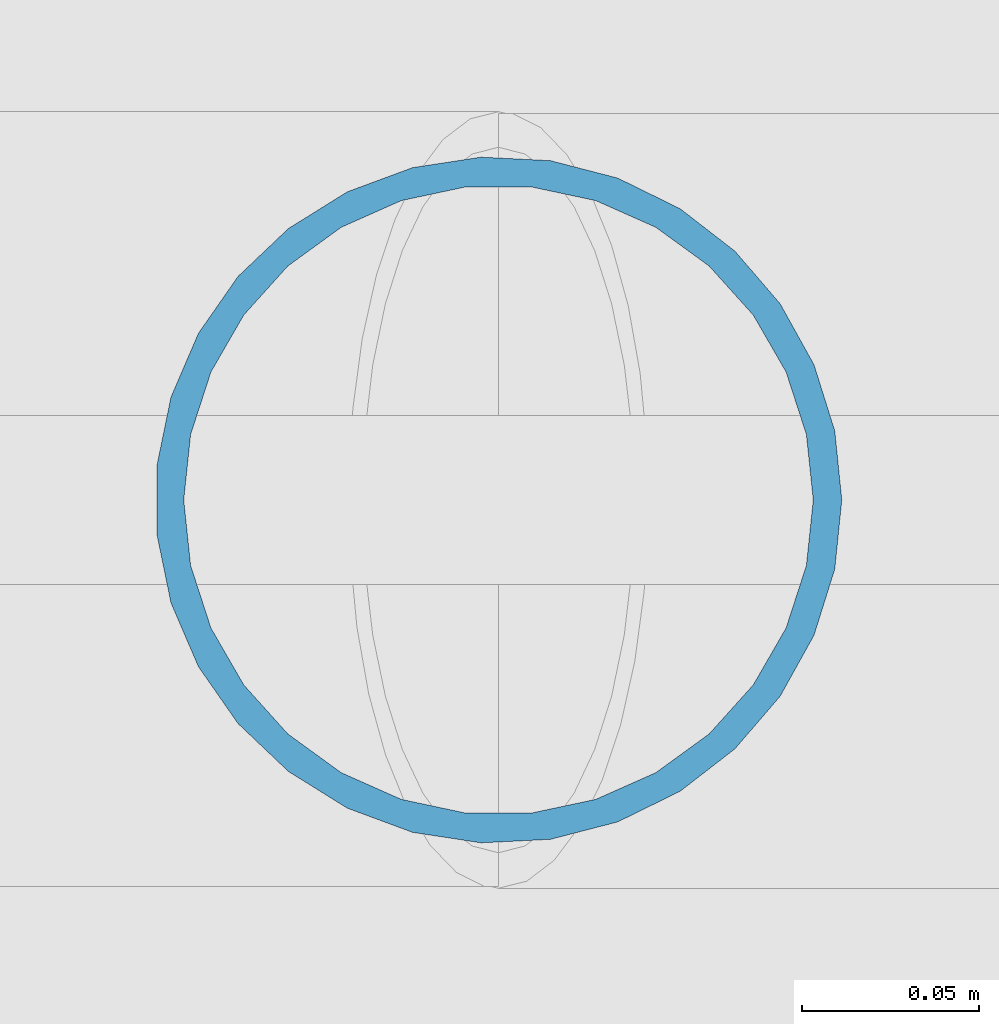
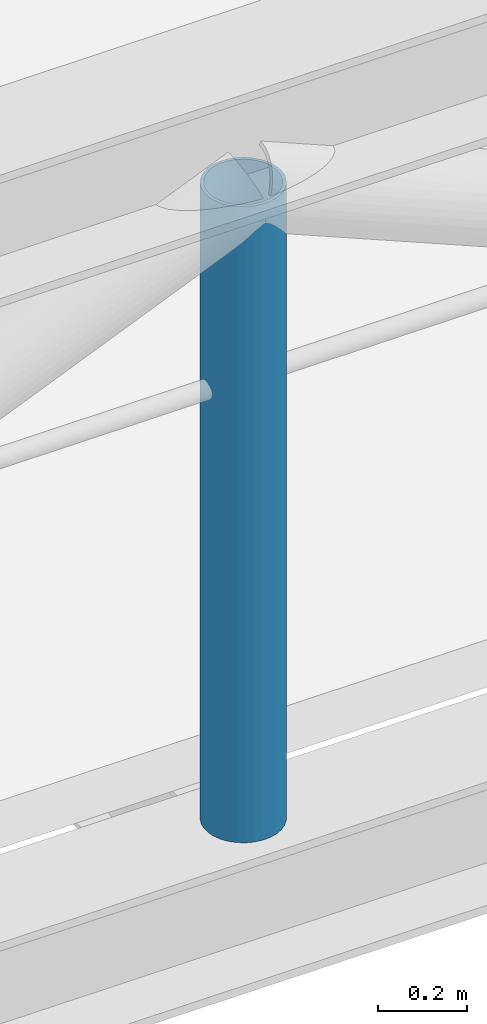
# One storey, part 21 of 76: 1 member.
"""IFC4 building model written with IfcOpenShell, lengths in metres."""

from ifc_helpers import new_model, si_unit, direction, frame, origin, origin_2d, place, context, subcontext, project, spatial, hollow_circle, extrude, material, material_profile, profile_set, type_object, element, save


model = new_model("IFC4")

# Units and contexts
model_context = context("Model", 3, precision=1e-05, world=origin(), true_north=direction((0.0, 1.0)))
body_context = subcontext(model_context, "Body", "Model", "MODEL_VIEW")
ifc_project = project(units=[si_unit("LENGTHUNIT", "METRE"), si_unit("AREAUNIT", "SQUARE_METRE"), si_unit("VOLUMEUNIT", "CUBIC_METRE"), si_unit("PLANEANGLEUNIT", "RADIAN"), si_unit("MASSUNIT", "GRAM", prefix="KILO")], contexts=[model_context])

# Site, building, storey
site_placement = place(None, origin())
site = spatial("IfcSite", under=ifc_project, at=site_placement, CompositionType="ELEMENT")
building_placement = place(site_placement, origin())
building = spatial("IfcBuilding", under=site, at=building_placement, Name="Sava Quay Ferry Terminal", CompositionType="ELEMENT")
storey_placement = place(building_placement, frame((0.0, 0.0, 6.0)))
storey = spatial("IfcBuildingStorey", under=building, at=storey_placement, Name="L01", CompositionType="ELEMENT", Elevation=6.0)

# Member
ifc_material = material(Name="Steel S355", Category="steel")
ifc_material_profile = material_profile(ifc_material, hollow_circle(Radius=0.096923828125, WallThickness=0.008056640625, at=origin_2d()), Name="CHS 193.7 x 8")
ifc_profile_set = profile_set([ifc_material_profile], Name="Steel S355")
member_type = type_object("IfcMemberType", Name="Brace CHS 193.7 x 8", PredefinedType="BRACE", material=ifc_profile_set)
member_placement = place(storey_placement, frame((63.0, 84.0, -0.1298828125), z_axis=(0.0, 0.0, 1.0), x_axis=(1.0, 0.0, 0.0)))
element("IfcMember", 1, at=member_placement, inside=storey, type_object=member_type, Name="Truss post 84", PredefinedType="BRACE", context=body_context, shape_type="SweptSolid", body=[
    extrude(hollow_circle(Radius=0.096923828125, WallThickness=0.008056640625, at=origin_2d()), origin(), (0.0, 0.0, 1.0), 1.739990234375),
])

save(model, "model.ifc")
